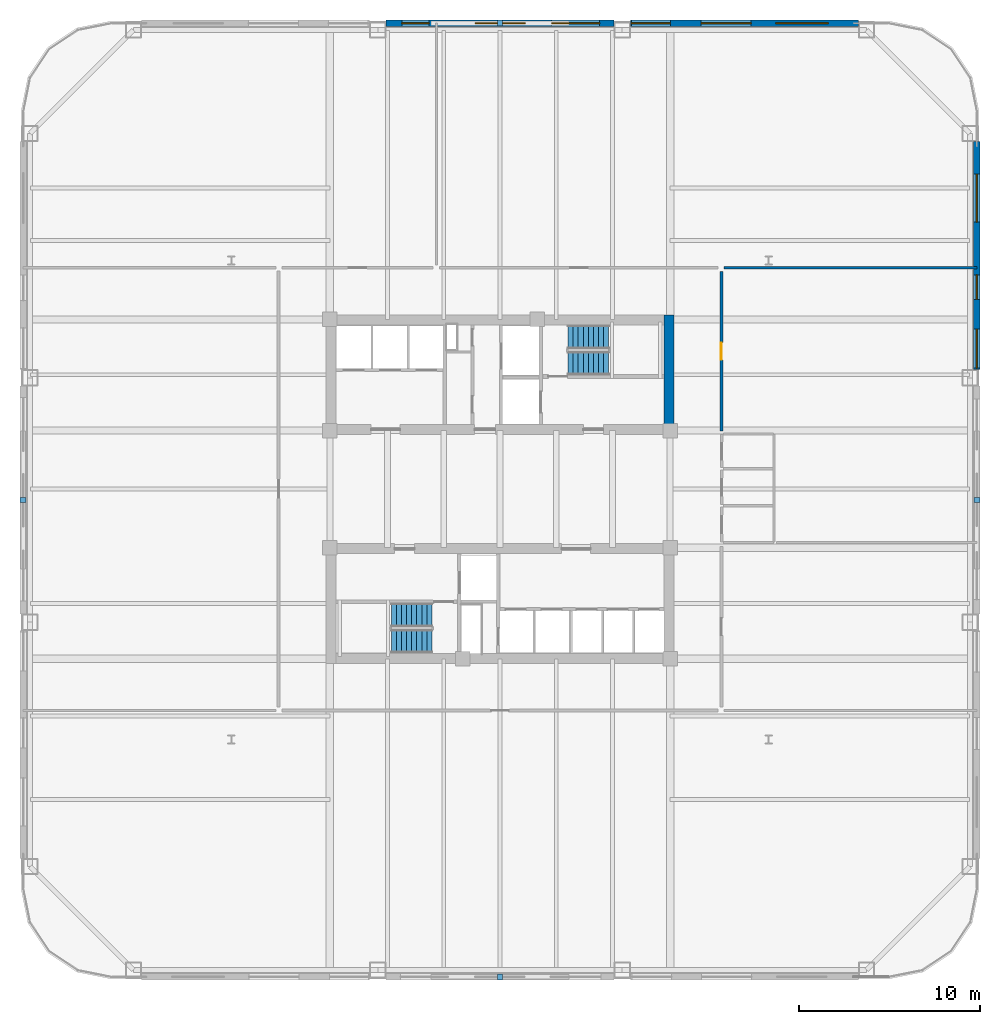
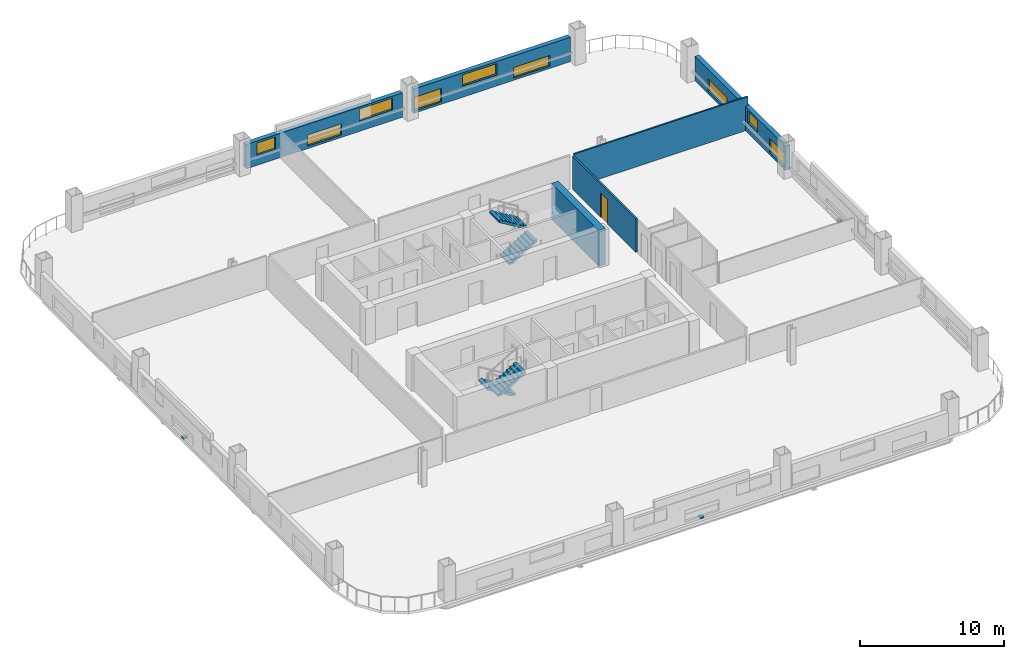
# One storey, part 5 of 11: 9 windows, 6 walls, 4 discrete accessories, 4 stair flights, 1 door, 10 openings, 2 elements without a shape of their own.
"""IFC4 building model written with IfcOpenShell, lengths in metres."""

from ifc_helpers import new_model, si_unit, direction, frame, frame_2d, origin, origin_2d, place, context, subcontext, project, spatial, polyline, rectangle, outline, extrude, material, layer, layer_set, type_object, element, fill, aggregate, save


model = new_model("IFC4")

# Units and contexts
model_context = context("Model", 3, precision=1e-05, world=origin(), true_north=direction((0.0, 1.0)))
body_context = subcontext(model_context, "Body", "Model", "MODEL_VIEW")
ifc_project = project(units=[si_unit("LENGTHUNIT", "METRE"), si_unit("AREAUNIT", "SQUARE_METRE"), si_unit("VOLUMEUNIT", "CUBIC_METRE"), si_unit("PLANEANGLEUNIT", "RADIAN"), si_unit("MASSUNIT", "GRAM", prefix="KILO")], contexts=[model_context])

# Site, building, storey
site_placement = place(None, origin())
site = spatial("IfcSite", under=ifc_project, at=site_placement, CompositionType="ELEMENT")
building_placement = place(site_placement, origin())
building = spatial("IfcBuilding", under=site, at=building_placement, Name="Qhalaya Broadcast Tower", CompositionType="ELEMENT")
storey_placement = place(building_placement, frame((0.0, 0.0, 29.14990234375)))
storey = spatial("IfcBuildingStorey", under=building, at=storey_placement, Name="L07", CompositionType="ELEMENT", Elevation=29.14990234375)

# Wall, opening, door
ifc_material_1 = material(Name="Gypsum Acoustic Partition")
ifc_layer_1 = layer(ifc_material_1, 0.14990234375, Name="Gypsum Acoustic Partition")
ifc_layer_set_1 = layer_set([ifc_layer_1], Name="Gypsum Acoustic Partition")
wall_type_1 = type_object("IfcWallType", Name="Corridor & Tenancy Acoustic Partition 150", PredefinedType="PARTITIONING", material=ifc_layer_set_1)
wall_1_placement = place(storey_placement, frame((12.199951171875, 3.800048828125, 0.0), z_axis=(0.0, 0.0, 1.0), x_axis=(0.0, 1.0, 0.0)))
wall_1 = element("IfcWall", 1, at=wall_1_placement, inside=storey, type_object=wall_type_1, Name="L07 Partition Wall W-COR-06", PredefinedType="PARTITIONING", context=body_context, shape_type="SweptSolid", body=[
    extrude(rectangle(XDim=8.800048828125, YDim=0.14990234375, at=frame_2d((4.39990234375, 0.0))), origin(), (0.0, 0.0, 1.0), 2.830078125),
])
opening_1_placement = place(wall_1_placement, frame((3.925048828125, 0.0, 0.0)))
opening_1 = element("IfcOpeningElement", 2, at=opening_1_placement, cuts=wall_1, Name="Opening D10", PredefinedType="OPENING", context=body_context, shape_type="SweptSolid", body=[
    extrude(rectangle(XDim=0.949951171875, YDim=2.10009765625, at=frame_2d((0.47509765625, 1.050048828125))), frame((0.0, 0.0869140625, 0.0), z_axis=(0.0, -1.0, 0.0), x_axis=(1.0, 0.0, 0.0)), (0.0, 0.0, 1.0), 0.173828125),
])
ifc_material_2 = material(Name="Timber Veneer Acoustic Door", Category="wood")
door_type = type_object("IfcDoorType", Name="Cellular Office & Edit Booth Door D10", OperationType="NOTDEFINED", PredefinedType="DOOR", material=ifc_material_2)
door_placement = place(opening_1_placement, origin())
door = element("IfcDoor", 3, at=door_placement, inside=storey, type_object=door_type, Name="L07 Door D-RM06", OperationType="SINGLE_SWING_RIGHT", OverallHeight=2.10009765625, OverallWidth=0.949951171875, PredefinedType="DOOR", context=body_context, shape_type="SweptSolid", body=[
    extrude(rectangle(XDim=0.949951171875, YDim=2.10009765625, at=frame_2d((0.47509765625, 1.050048828125))), frame((0.0, 0.02490234375, 0.0), z_axis=(0.0, -1.0, 0.0), x_axis=(1.0, 0.0, 0.0)), (0.0, 0.0, 1.0), 0.050048828125),
])
fill(opening_1, door)

# Wall, openings, windows
ifc_material_3 = material(Name="Precast Concrete C40/50", Category="concrete")
ifc_layer_2 = layer(ifc_material_3, 0.360107421875, Name="Precast Concrete C40/50")
ifc_layer_set_2 = layer_set([ifc_layer_2], Name="Precast Concrete C40/50")
wall_type_2 = type_object("IfcWallType", Name="Insulated Precast Terracotta Exterior Wall 360", PredefinedType="SOLIDWALL", material=ifc_layer_set_2)
wall_2_placement = place(storey_placement, frame((26.260009765625, 19.761962890625, 0.0), z_axis=(0.0, 0.0, 1.0), x_axis=(0.0, -1.0, 0.0)))
wall_2 = element("IfcWall", 4, at=wall_2_placement, inside=storey, type_object=wall_type_2, Name="L07 Exoskeleton Diagrid Infill Wall E1", PredefinedType="SOLIDWALL", context=body_context, shape_type="SweptSolid", body=[
    extrude(rectangle(XDim=12.57861328125, YDim=0.360107421875, at=frame_2d((6.289306640625, 0.0))), origin(), (0.0, 0.0, 1.0), 2.067138671875),
])
opening_2_placement = place(wall_2_placement, frame((1.800048828125, 0.0, 0.199951171875)))
opening_2 = element("IfcOpeningElement", 5, at=opening_2_placement, cuts=wall_2, Name="Opening W11", PredefinedType="OPENING", context=body_context, shape_type="SweptSolid", body=[
    extrude(rectangle(XDim=2.64990234375, YDim=1.050048828125, at=frame_2d((1.324951171875, 0.52490234375))), frame((0.0, 0.192138671875, 0.0), z_axis=(0.0, -1.0, 0.0), x_axis=(1.0, 0.0, 0.0)), (0.0, 0.0, 1.0), 0.384033203125),
])
opening_3_placement = place(wall_2_placement, frame((7.35009765625, 0.0, 0.89990234375)))
opening_3 = element("IfcOpeningElement", 6, at=opening_3_placement, cuts=wall_2, Name="Opening W11", PredefinedType="OPENING", context=body_context, shape_type="SweptSolid", body=[
    extrude(rectangle(XDim=1.35009765625, YDim=1.0, at=frame_2d((0.675048828125, 0.5))), frame((0.0, 0.192138671875, 0.0), z_axis=(0.0, -1.0, 0.0), x_axis=(1.0, 0.0, 0.0)), (0.0, 0.0, 1.0), 0.384033203125),
])
opening_4_placement = place(wall_2_placement, frame((10.35009765625, 0.0, 0.199951171875)))
opening_4 = element("IfcOpeningElement", 7, at=opening_4_placement, cuts=wall_2, Name="Opening W11", PredefinedType="OPENING", context=body_context, shape_type="SweptSolid", body=[
    extrude(rectangle(XDim=2.14990234375, YDim=1.199951171875, at=frame_2d((1.074951171875, 0.60009765625))), frame((0.0, 0.192138671875, 0.0), z_axis=(0.0, -1.0, 0.0), x_axis=(1.0, 0.0, 0.0)), (0.0, 0.0, 1.0), 0.384033203125),
])
ifc_material_4 = material(Name="Solar-Control Low-E Triple Glazing", Category="glass")
window_type = type_object("IfcWindowType", Name="Odd-Block Diagrid Infill Window W11", PartitioningType="SINGLE_PANEL", PredefinedType="WINDOW", material=ifc_material_4)
window_1_placement = place(opening_2_placement, origin())
window_1 = element("IfcWindow", 8, at=window_1_placement, inside=storey, type_object=window_type, Name="L07 Diagrid Infill Window W11-E1", OverallHeight=1.050048828125, OverallWidth=2.64990234375, PartitioningType="SINGLE_PANEL", PredefinedType="WINDOW", context=body_context, shape_type="SweptSolid", body=[
    extrude(rectangle(XDim=2.64990234375, YDim=1.050048828125, at=frame_2d((1.324951171875, 0.52490234375))), frame((0.0, 0.030029296875, 0.0), z_axis=(0.0, -1.0, 0.0), x_axis=(1.0, 0.0, 0.0)), (0.0, 0.0, 1.0), 0.06005859375),
])
fill(opening_2, window_1)
window_2_placement = place(opening_3_placement, origin())
window_2 = element("IfcWindow", 9, at=window_2_placement, inside=storey, type_object=window_type, Name="L07 Diagrid Infill Window W11-E2", OverallHeight=1.0, OverallWidth=1.35009765625, PartitioningType="SINGLE_PANEL", PredefinedType="WINDOW", context=body_context, shape_type="SweptSolid", body=[
    extrude(rectangle(XDim=1.35009765625, YDim=1.0, at=frame_2d((0.675048828125, 0.5))), frame((0.0, 0.030029296875, 0.0), z_axis=(0.0, -1.0, 0.0), x_axis=(1.0, 0.0, 0.0)), (0.0, 0.0, 1.0), 0.06005859375),
])
fill(opening_3, window_2)
window_3_placement = place(opening_4_placement, origin())
window_3 = element("IfcWindow", 10, at=window_3_placement, inside=storey, type_object=window_type, Name="L07 Diagrid Infill Window W11-E3", OverallHeight=1.199951171875, OverallWidth=2.14990234375, PartitioningType="SINGLE_PANEL", PredefinedType="WINDOW", context=body_context, shape_type="SweptSolid", body=[
    extrude(rectangle(XDim=2.14990234375, YDim=1.199951171875, at=frame_2d((1.074951171875, 0.60009765625))), frame((0.0, 0.030029296875, 0.0), z_axis=(0.0, -1.0, 0.0), x_axis=(1.0, 0.0, 0.0)), (0.0, 0.0, 1.0), 0.06005859375),
])
fill(opening_4, window_3)

wall_3_placement = place(storey_placement, frame((-6.283203125, 26.260009765625, 0.0), z_axis=(0.0, 0.0, 1.0), x_axis=(1.0, 0.0, 0.0)))
wall_3 = element("IfcWall", 11, at=wall_3_placement, inside=storey, type_object=wall_type_2, Name="L07 Exoskeleton Diagrid Infill Wall N2", PredefinedType="SOLIDWALL", context=body_context, shape_type="SweptSolid", body=[
    extrude(rectangle(XDim=12.56640625, YDim=0.360107421875, at=frame_2d((6.283203125, 0.0))), origin(), (0.0, 0.0, 1.0), 2.067138671875),
])
opening_5_placement = place(wall_3_placement, frame((0.87109375, 0.0, 0.85009765625)))
opening_5 = element("IfcOpeningElement", 12, at=opening_5_placement, cuts=wall_3, Name="Opening W11", PredefinedType="OPENING", context=body_context, shape_type="SweptSolid", body=[
    extrude(rectangle(XDim=1.5, YDim=1.050048828125, at=frame_2d((0.75, 0.52490234375))), frame((0.0, 0.192138671875, 0.0), z_axis=(0.0, -1.0, 0.0), x_axis=(1.0, 0.0, 0.0)), (0.0, 0.0, 1.0), 0.384033203125),
])
opening_6_placement = place(wall_3_placement, frame((4.9208984375, 0.0, 0.199951171875)))
opening_6 = element("IfcOpeningElement", 13, at=opening_6_placement, cuts=wall_3, Name="Opening W11", PredefinedType="OPENING", context=body_context, shape_type="SweptSolid", body=[
    extrude(rectangle(XDim=2.75, YDim=0.949951171875, at=frame_2d((1.375, 0.47509765625))), frame((0.0, 0.192138671875, 0.0), z_axis=(0.0, -1.0, 0.0), x_axis=(1.0, 0.0, 0.0)), (0.0, 0.0, 1.0), 0.384033203125),
])
opening_7_placement = place(wall_3_placement, frame((9.12109375, 0.0, 0.89990234375)))
opening_7 = element("IfcOpeningElement", 14, at=opening_7_placement, cuts=wall_3, Name="Opening W11", PredefinedType="OPENING", context=body_context, shape_type="SweptSolid", body=[
    extrude(rectangle(XDim=2.64990234375, YDim=1.0, at=frame_2d((1.324951171875, 0.5))), frame((0.0, 0.192138671875, 0.0), z_axis=(0.0, -1.0, 0.0), x_axis=(1.0, 0.0, 0.0)), (0.0, 0.0, 1.0), 0.384033203125),
])
window_4_placement = place(opening_5_placement, origin())
window_4 = element("IfcWindow", 15, at=window_4_placement, inside=storey, type_object=window_type, Name="L07 Diagrid Infill Window W11-N4", OverallHeight=1.050048828125, OverallWidth=1.5, PartitioningType="SINGLE_PANEL", PredefinedType="WINDOW", context=body_context, shape_type="SweptSolid", body=[
    extrude(rectangle(XDim=1.5, YDim=1.050048828125, at=frame_2d((0.75, 0.52490234375))), frame((0.0, 0.030029296875, 0.0), z_axis=(0.0, -1.0, 0.0), x_axis=(1.0, 0.0, 0.0)), (0.0, 0.0, 1.0), 0.06005859375),
])
fill(opening_5, window_4)
window_5_placement = place(opening_6_placement, origin())
window_5 = element("IfcWindow", 16, at=window_5_placement, inside=storey, type_object=window_type, Name="L07 Diagrid Infill Window W11-N5", OverallHeight=0.949951171875, OverallWidth=2.75, PartitioningType="SINGLE_PANEL", PredefinedType="WINDOW", context=body_context, shape_type="SweptSolid", body=[
    extrude(rectangle(XDim=2.75, YDim=0.949951171875, at=frame_2d((1.375, 0.47509765625))), frame((0.0, 0.030029296875, 0.0), z_axis=(0.0, -1.0, 0.0), x_axis=(1.0, 0.0, 0.0)), (0.0, 0.0, 1.0), 0.06005859375),
])
fill(opening_6, window_5)
window_6_placement = place(opening_7_placement, origin())
window_6 = element("IfcWindow", 17, at=window_6_placement, inside=storey, type_object=window_type, Name="L07 Diagrid Infill Window W11-N6", OverallHeight=1.0, OverallWidth=2.64990234375, PartitioningType="SINGLE_PANEL", PredefinedType="WINDOW", context=body_context, shape_type="SweptSolid", body=[
    extrude(rectangle(XDim=2.64990234375, YDim=1.0, at=frame_2d((1.324951171875, 0.5))), frame((0.0, 0.030029296875, 0.0), z_axis=(0.0, -1.0, 0.0), x_axis=(1.0, 0.0, 0.0)), (0.0, 0.0, 1.0), 0.06005859375),
])
fill(opening_7, window_6)

wall_4_placement = place(storey_placement, frame((7.183349609375, 26.260009765625, 0.0), z_axis=(0.0, 0.0, 1.0), x_axis=(1.0, 0.0, 0.0)))
wall_4 = element("IfcWall", 18, at=wall_4_placement, inside=storey, type_object=wall_type_2, Name="L07 Exoskeleton Diagrid Infill Wall N3", PredefinedType="SOLIDWALL", context=body_context, shape_type="SweptSolid", body=[
    extrude(rectangle(XDim=12.57861328125, YDim=0.360107421875, at=frame_2d((6.289306640625, 0.0))), origin(), (0.0, 0.0, 1.0), 2.067138671875),
])
opening_8_placement = place(wall_4_placement, frame((0.054931640625, 0.0, 0.199951171875)))
opening_8 = element("IfcOpeningElement", 19, at=opening_8_placement, cuts=wall_4, Name="Opening W11", PredefinedType="OPENING", context=body_context, shape_type="SweptSolid", body=[
    extrude(rectangle(XDim=2.14990234375, YDim=1.14990234375, at=frame_2d((1.074951171875, 0.574951171875))), frame((0.0, 0.192138671875, 0.0), z_axis=(0.0, -1.0, 0.0), x_axis=(1.0, 0.0, 0.0)), (0.0, 0.0, 1.0), 0.384033203125),
])
opening_9_placement = place(wall_4_placement, frame((3.905029296875, 0.0, 0.949951171875)))
opening_9 = element("IfcOpeningElement", 20, at=opening_9_placement, cuts=wall_4, Name="Opening W11", PredefinedType="OPENING", context=body_context, shape_type="SweptSolid", body=[
    extrude(rectangle(XDim=2.75, YDim=0.949951171875, at=frame_2d((1.375, 0.47509765625))), frame((0.0, 0.192138671875, 0.0), z_axis=(0.0, -1.0, 0.0), x_axis=(1.0, 0.0, 0.0)), (0.0, 0.0, 1.0), 0.384033203125),
])
opening_10_placement = place(wall_4_placement, frame((8.0048828125, 0.0, 0.199951171875)))
opening_10 = element("IfcOpeningElement", 21, at=opening_10_placement, cuts=wall_4, Name="Opening W11", PredefinedType="OPENING", context=body_context, shape_type="SweptSolid", body=[
    extrude(rectangle(XDim=2.89990234375, YDim=0.89990234375, at=frame_2d((1.449951171875, 0.449951171875))), frame((0.0, 0.192138671875, 0.0), z_axis=(0.0, -1.0, 0.0), x_axis=(1.0, 0.0, 0.0)), (0.0, 0.0, 1.0), 0.384033203125),
])
window_7_placement = place(opening_8_placement, origin())
window_7 = element("IfcWindow", 22, at=window_7_placement, inside=storey, type_object=window_type, Name="L07 Diagrid Infill Window W11-N7", OverallHeight=1.14990234375, OverallWidth=2.14990234375, PartitioningType="SINGLE_PANEL", PredefinedType="WINDOW", context=body_context, shape_type="SweptSolid", body=[
    extrude(rectangle(XDim=2.14990234375, YDim=1.14990234375, at=frame_2d((1.074951171875, 0.574951171875))), frame((0.0, 0.030029296875, 0.0), z_axis=(0.0, -1.0, 0.0), x_axis=(1.0, 0.0, 0.0)), (0.0, 0.0, 1.0), 0.06005859375),
])
fill(opening_8, window_7)
window_8_placement = place(opening_9_placement, origin())
window_8 = element("IfcWindow", 23, at=window_8_placement, inside=storey, type_object=window_type, Name="L07 Diagrid Infill Window W11-N8", OverallHeight=0.949951171875, OverallWidth=2.75, PartitioningType="SINGLE_PANEL", PredefinedType="WINDOW", context=body_context, shape_type="SweptSolid", body=[
    extrude(rectangle(XDim=2.75, YDim=0.949951171875, at=frame_2d((1.375, 0.47509765625))), frame((0.0, 0.030029296875, 0.0), z_axis=(0.0, -1.0, 0.0), x_axis=(1.0, 0.0, 0.0)), (0.0, 0.0, 1.0), 0.06005859375),
])
fill(opening_9, window_8)
window_9_placement = place(opening_10_placement, origin())
window_9 = element("IfcWindow", 24, at=window_9_placement, inside=storey, type_object=window_type, Name="L07 Diagrid Infill Window W11-N9", OverallHeight=0.89990234375, OverallWidth=2.89990234375, PartitioningType="SINGLE_PANEL", PredefinedType="WINDOW", context=body_context, shape_type="SweptSolid", body=[
    extrude(rectangle(XDim=2.89990234375, YDim=0.89990234375, at=frame_2d((1.449951171875, 0.449951171875))), frame((0.0, 0.030029296875, 0.0), z_axis=(0.0, -1.0, 0.0), x_axis=(1.0, 0.0, 0.0)), (0.0, 0.0, 1.0), 0.06005859375),
])
fill(opening_10, window_9)

# Walls
ifc_material_5 = material(Name="Concrete C60/75", Category="concrete")
ifc_layer_3 = layer(ifc_material_5, 0.550048828125, Name="Concrete C60/75")
ifc_layer_set_3 = layer_set([ifc_layer_3], Name="Concrete C60/75")
wall_type_3 = type_object("IfcWallType", Name="Lower Split-Core Shear Wall 550", PredefinedType="SHEAR", material=ifc_layer_set_3)
wall_5_placement = place(storey_placement, frame((9.324951171875, 3.60009765625, 0.0), z_axis=(0.0, 0.0, 1.0), x_axis=(0.0, 1.0, 0.0)))
element("IfcWall", 25, at=wall_5_placement, inside=storey, type_object=wall_type_3, Name="L07 Split-Core Shear Wall CW-NE", PredefinedType="SHEAR", context=body_context, shape_type="SweptSolid", body=[
    extrude(rectangle(XDim=6.599853515625, YDim=0.550048828125, at=frame_2d((3.2998046875, 0.0))), origin(), (0.0, 0.0, 1.0), 3.050048828125),
])
ifc_layer_4 = layer(ifc_material_1, 0.1201171875, Name="Gypsum Acoustic Partition")
ifc_layer_set_4 = layer_set([ifc_layer_4], Name="Gypsum Acoustic Partition")
wall_type_4 = type_object("IfcWallType", Name="Office, Booth & Sanitary Partition 120", PredefinedType="PARTITIONING", material=ifc_layer_set_4)
wall_6_placement = place(storey_placement, frame((12.340087890625, 12.800048828125, 0.0), z_axis=(0.0, 0.0, 1.0), x_axis=(1.0, 0.0, 0.0)))
element("IfcWall", 26, at=wall_6_placement, inside=storey, type_object=wall_type_4, Name="L07 Partition Wall W-BNDE1", PredefinedType="PARTITIONING", context=body_context, shape_type="SweptSolid", body=[
    extrude(rectangle(XDim=13.93994140625, YDim=0.1201171875, at=frame_2d((6.969970703125, 0.0))), origin(), (0.0, 0.0, 1.0), 2.830078125),
])

# Stair, stair flights
ifc_material_6 = material(Name="Concrete C40/50", Category="concrete")
stair_type = type_object("IfcStairType", Name="Protected Dogleg Core Stair 3150", PredefinedType="TWO_STRAIGHT_RUN_STAIR", material=ifc_material_6)
stair_1_placement = place(storey_placement, origin())
stair_1 = element("IfcStair", 27, at=stair_1_placement, inside=storey, type_object=stair_type, Name="L07 North Core Exit Stair ST-1", PredefinedType="TWO_STRAIGHT_RUN_STAIR")
stair_flight_type = type_object("IfcStairFlightType", Name="Precast Concrete Stair Flight 3150", PredefinedType="STRAIGHT", material=ifc_material_3)
stair_flight_1_placement = place(storey_placement, frame((3.75, 7.5400390625, 0.0), z_axis=(0.0, 0.0, 1.0), x_axis=(1.0, 0.0, 0.0)))
stair_flight_1 = element("IfcStairFlight", 28, at=stair_flight_1_placement, type_object=stair_flight_type, Name="ST-1 flight 1", NumberOfRisers=9, NumberOfTreads=8, PredefinedType="STRAIGHT", RiserHeight=0.169444444, TreadLength=0.28, context=body_context, shape_type="SweptSolid", body=[
    extrude(outline(polyline([(0.0, 0.0), (0.0, 0.16943359375), (0.280029296875, 0.16943359375), (0.280029296875, 0.3388671875), (0.56005859375, 0.3388671875), (0.56005859375, 0.50830078125), (0.840087890625, 0.50830078125), (0.840087890625, 0.677734375), (1.1201171875, 0.677734375), (1.1201171875, 0.84716796875), (1.39990234375, 0.84716796875), (1.39990234375, 1.0166015625), (1.679931640625, 1.0166015625), (1.679931640625, 1.18603515625), (1.9599609375, 1.18603515625), (1.9599609375, 1.35546875), (2.239990234375, 1.35546875), (2.239990234375, 1.52490234375), (2.239990234375, 1.180419921875), (0.28955078125, 0.0), (0.0, 0.0)])), frame((0.0, 0.66015625, 0.0), z_axis=(0.0, -1.0, 0.0), x_axis=(1.0, 0.0, 0.0)), (0.0, 0.0, 1.0), 1.320068359375),
])
stair_flight_2_placement = place(storey_placement, frame((5.989990234375, 8.97998046875, 1.525146484375), z_axis=(0.0, 0.0, 1.0), x_axis=(-1.0, 0.0, 0.0)))
stair_flight_2 = element("IfcStairFlight", 29, at=stair_flight_2_placement, type_object=stair_flight_type, Name="ST-1 flight 2", NumberOfRisers=9, NumberOfTreads=8, PredefinedType="STRAIGHT", RiserHeight=0.169444444, TreadLength=0.28, context=body_context, shape_type="SweptSolid", body=[
    extrude(outline(polyline([(0.0, 0.0), (0.0, 0.16943359375), (0.280029296875, 0.16943359375), (0.280029296875, 0.3388671875), (0.56005859375, 0.3388671875), (0.56005859375, 0.50830078125), (0.840087890625, 0.50830078125), (0.840087890625, 0.677734375), (1.1201171875, 0.677734375), (1.1201171875, 0.84716796875), (1.39990234375, 0.84716796875), (1.39990234375, 1.0166015625), (1.679931640625, 1.0166015625), (1.679931640625, 1.18603515625), (1.9599609375, 1.18603515625), (1.9599609375, 1.35546875), (2.239990234375, 1.35546875), (2.239990234375, 1.52490234375), (2.239990234375, 1.180419921875), (0.28955078125, 0.0), (0.0, 0.0)])), frame((0.0, 0.66015625, 0.0), z_axis=(0.0, -1.0, 0.0), x_axis=(1.0, 0.0, 0.0)), (0.0, 0.0, 1.0), 1.320068359375),
])
aggregate(stair_1, [stair_flight_1, stair_flight_2])

stair_2_placement = place(storey_placement, origin())
stair_2 = element("IfcStair", 30, at=stair_2_placement, inside=storey, type_object=stair_type, Name="L07 South Core Exit Stair ST-2", PredefinedType="TWO_STRAIGHT_RUN_STAIR")
stair_flight_3_placement = place(storey_placement, frame((-3.75, -6.340087890625, 0.0), z_axis=(0.0, 0.0, 1.0), x_axis=(-1.0, 0.0, 0.0)))
stair_flight_3 = element("IfcStairFlight", 31, at=stair_flight_3_placement, type_object=stair_flight_type, Name="ST-2 flight 1", NumberOfRisers=9, NumberOfTreads=8, PredefinedType="STRAIGHT", RiserHeight=0.169444444, TreadLength=0.28, context=body_context, shape_type="SweptSolid", body=[
    extrude(outline(polyline([(0.0, 0.0), (0.0, 0.16943359375), (0.280029296875, 0.16943359375), (0.280029296875, 0.3388671875), (0.56005859375, 0.3388671875), (0.56005859375, 0.50830078125), (0.840087890625, 0.50830078125), (0.840087890625, 0.677734375), (1.1201171875, 0.677734375), (1.1201171875, 0.84716796875), (1.39990234375, 0.84716796875), (1.39990234375, 1.0166015625), (1.679931640625, 1.0166015625), (1.679931640625, 1.18603515625), (1.9599609375, 1.18603515625), (1.9599609375, 1.35546875), (2.239990234375, 1.35546875), (2.239990234375, 1.52490234375), (2.239990234375, 1.180419921875), (0.28955078125, 0.0), (0.0, 0.0)])), frame((0.0, 0.66015625, 0.0), z_axis=(0.0, -1.0, 0.0), x_axis=(1.0, 0.0, 0.0)), (0.0, 0.0, 1.0), 1.320068359375),
])
stair_flight_4_placement = place(storey_placement, frame((-5.989990234375, -7.780029296875, 1.525146484375), z_axis=(0.0, 0.0, 1.0), x_axis=(1.0, 0.0, 0.0)))
stair_flight_4 = element("IfcStairFlight", 32, at=stair_flight_4_placement, type_object=stair_flight_type, Name="ST-2 flight 2", NumberOfRisers=9, NumberOfTreads=8, PredefinedType="STRAIGHT", RiserHeight=0.169444444, TreadLength=0.28, context=body_context, shape_type="SweptSolid", body=[
    extrude(outline(polyline([(0.0, 0.0), (0.0, 0.16943359375), (0.280029296875, 0.16943359375), (0.280029296875, 0.3388671875), (0.56005859375, 0.3388671875), (0.56005859375, 0.50830078125), (0.840087890625, 0.50830078125), (0.840087890625, 0.677734375), (1.1201171875, 0.677734375), (1.1201171875, 0.84716796875), (1.39990234375, 0.84716796875), (1.39990234375, 1.0166015625), (1.679931640625, 1.0166015625), (1.679931640625, 1.18603515625), (1.9599609375, 1.18603515625), (1.9599609375, 1.35546875), (2.239990234375, 1.35546875), (2.239990234375, 1.52490234375), (2.239990234375, 1.180419921875), (0.28955078125, 0.0), (0.0, 0.0)])), frame((0.0, 0.66015625, 0.0), z_axis=(0.0, -1.0, 0.0), x_axis=(1.0, 0.0, 0.0)), (0.0, 0.0, 1.0), 1.320068359375),
])
aggregate(stair_2, [stair_flight_3, stair_flight_4])

# Discrete accessories
ifc_material_7 = material(Name="Structural Steel ASTM A572 Grade 50", Category="steel")
discrete_accessory_type = type_object("IfcDiscreteAccessoryType", Name="Facade Baguette Support Bracket BRK-01", PredefinedType="BRACKET", material=ifc_material_7)
for number, where, z_axis, x_axis, name in (
    (33, (0.0, -26.280029296875, 0.0), (0.0, 0.0, 1.0), (1.0, 0.0, 0.0), "L07 Baguette Support Bracket S"),
    (34, (26.280029296875, 0.0, 0.0), (0.0, 0.0, 1.0), (0.0, 1.0, 0.0), "L07 Baguette Support Bracket E"),
    (35, (0.0, 26.280029296875, 0.0), (0.0, 0.0, 1.0), (-1.0, 0.0, 0.0), "L07 Baguette Support Bracket N"),
    (36, (-26.280029296875, 0.0, 0.0), (0.0, 0.0, 1.0), (0.0, -1.0, 0.0), "L07 Baguette Support Bracket W"),
):
    element("IfcDiscreteAccessory", number, at=place(storey_placement, frame(where, z_axis=z_axis, x_axis=x_axis)), inside=storey, type_object=discrete_accessory_type, Name=name, PredefinedType="BRACKET", context=body_context, shape_type="SweptSolid", body=[
        extrude(rectangle(XDim=0.300048828125, YDim=0.340087890625, at=origin_2d()), origin(), (0.0, 0.0, 1.0), 0.159912109375),
    ])

save(model, "model.ifc")
